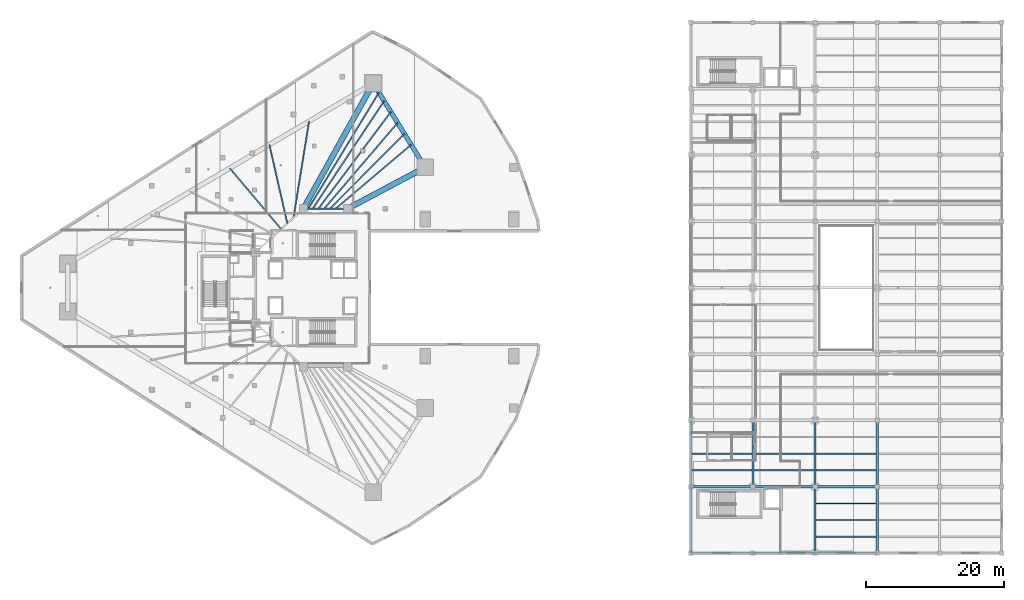
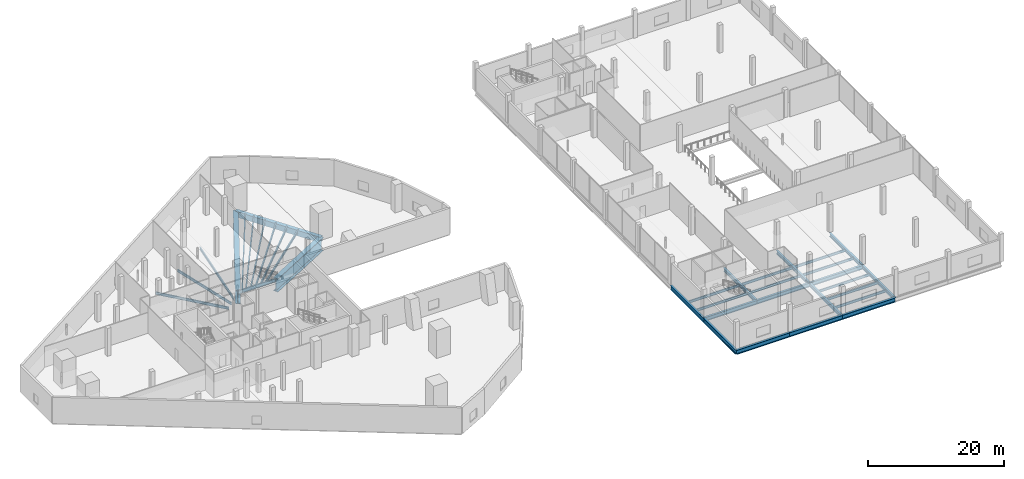
# One storey, part 2 of 46: 35 beams.
"""IFC4 building model written with IfcOpenShell, lengths in metres."""

from ifc_helpers import new_model, si_unit, direction, frame, origin, origin_2d, place, context, subcontext, project, spatial, rectangle, i_section, extrude, material, material_profile, profile_set, type_object, element, save


model = new_model("IFC4")

# Units and contexts
model_context = context("Model", 3, precision=1e-05, world=origin(), true_north=direction((0.0, 1.0)))
body_context = subcontext(model_context, "Body", "Model", "MODEL_VIEW")
ifc_project = project(units=[si_unit("LENGTHUNIT", "METRE"), si_unit("AREAUNIT", "SQUARE_METRE"), si_unit("VOLUMEUNIT", "CUBIC_METRE"), si_unit("PLANEANGLEUNIT", "RADIAN"), si_unit("MASSUNIT", "GRAM", prefix="KILO")], contexts=[model_context])

# Site, building, storey
site_placement = place(None, origin())
site = spatial("IfcSite", under=ifc_project, at=site_placement, CompositionType="ELEMENT")
building_placement = place(site_placement, origin())
building = spatial("IfcBuilding", under=site, at=building_placement, Name="Qorvath Tower", CompositionType="ELEMENT")
storey_placement = place(building_placement, frame((0.0, 0.0, 17.0)))
storey = spatial("IfcBuildingStorey", under=building, at=storey_placement, Name="L03", CompositionType="ELEMENT", Elevation=17.0)

# Beams
ifc_material_1 = material(Name="Steel ASTM A992 Grade 50", Category="steel")
ifc_material_profile_1 = material_profile(ifc_material_1, i_section(OverallWidth=0.381103515625, OverallDepth=0.77294921875, WebThickness=0.0166015625, FlangeThickness=0.027099609375, FilletRadius=0.01904296875, at=origin_2d()), Name="W30x173")
ifc_profile_set_1 = profile_set([ifc_material_profile_1], Name="Steel ASTM A992 Grade 50")
beam_type_1 = type_object("IfcBeamType", Name="BM-FG3", PredefinedType="BEAM", material=ifc_profile_set_1)
for number, where, z_axis, x_axis, name in (
    (1, (32.39990234375, -38.39990234375, -0.646484375), (1.0, 0.0, 0.0), (0.0, 1.0, 0.0), "Library E-W Girder L03-1-1"),
    (2, (41.39990234375, -38.39990234375, -0.646484375), (1.0, 0.0, 0.0), (0.0, 1.0, 0.0), "Library E-W Girder L03-1-2"),
    (3, (50.39990234375, -38.39990234375, -0.646484375), (1.0, 0.0, 0.0), (0.0, 1.0, 0.0), "Library E-W Girder L03-1-3"),
):
    element("IfcBeam", number, at=place(storey_placement, frame(where, z_axis=z_axis, x_axis=x_axis)), inside=storey, type_object=beam_type_1, Name=name, PredefinedType="BEAM", context=body_context, shape_type="SweptSolid", body=[
        extrude(i_section(OverallWidth=0.381103515625, OverallDepth=0.77294921875, WebThickness=0.0166015625, FlangeThickness=0.027099609375, FilletRadius=0.01904296875, at=origin_2d()), origin(), (0.0, 0.0, 1.0), 9.0),
    ])
beam_1_placement = place(storey_placement, frame((32.39990234375, -38.39990234375, -0.646484375), z_axis=(0.0, 1.0, 0.0), x_axis=(-1.0, 0.0, 0.0)))
element("IfcBeam", 4, at=beam_1_placement, inside=storey, type_object=beam_type_1, Name="Library N-S Girder L03-1-1", PredefinedType="BEAM", context=body_context, shape_type="SweptSolid", body=[
    extrude(i_section(OverallWidth=0.381103515625, OverallDepth=0.77294921875, WebThickness=0.0166015625, FlangeThickness=0.027099609375, FilletRadius=0.01904296875, at=origin_2d()), origin(), (0.0, 0.0, 1.0), 9.599853515625),
])
beam_2_placement = place(storey_placement, frame((32.39990234375, -28.800048828125, -0.646484375), z_axis=(0.0, 1.0, 0.0), x_axis=(-1.0, 0.0, 0.0)))
element("IfcBeam", 5, at=beam_2_placement, inside=storey, type_object=beam_type_1, Name="Library N-S Girder L03-1-2", PredefinedType="BEAM", context=body_context, shape_type="SweptSolid", body=[
    extrude(i_section(OverallWidth=0.381103515625, OverallDepth=0.77294921875, WebThickness=0.0166015625, FlangeThickness=0.027099609375, FilletRadius=0.01904296875, at=origin_2d()), origin(), (0.0, 0.0, 1.0), 9.60009765625),
])
ifc_material_2 = material(Name="Steel ASTM A992 Grade 50", Category="steel")
ifc_material_profile_2 = material_profile(ifc_material_2, i_section(OverallWidth=0.35595703125, OverallDepth=0.696044921875, WebThickness=0.015380859375, FlangeThickness=0.02490234375, FilletRadius=0.01806640625, at=origin_2d()), Name="W27x146")
ifc_profile_set_2 = profile_set([ifc_material_profile_2], Name="Steel ASTM A992 Grade 50")
beam_type_2 = type_object("IfcBeamType", Name="BM-FG4", PredefinedType="BEAM", material=ifc_profile_set_2)
for number, where, z_axis, x_axis, name in (
    (6, (32.39990234375, -28.800048828125, -0.60791015625), (1.0, 0.0, 0.0), (0.0, 1.0, 0.0), "Library E-W Girder L03-2-1"),
    (7, (41.39990234375, -28.800048828125, -0.60791015625), (1.0, 0.0, 0.0), (0.0, 1.0, 0.0), "Library E-W Girder L03-2-2"),
    (8, (50.39990234375, -28.800048828125, -0.60791015625), (1.0, 0.0, 0.0), (0.0, 1.0, 0.0), "Library E-W Girder L03-2-3"),
):
    element("IfcBeam", number, at=place(storey_placement, frame(where, z_axis=z_axis, x_axis=x_axis)), inside=storey, type_object=beam_type_2, Name=name, PredefinedType="BEAM", context=body_context, shape_type="SweptSolid", body=[
        extrude(i_section(OverallWidth=0.35595703125, OverallDepth=0.696044921875, WebThickness=0.015380859375, FlangeThickness=0.02490234375, FilletRadius=0.01806640625, at=origin_2d()), origin(), (0.0, 0.0, 1.0), 9.0),
    ])
ifc_material_3 = material(Name="Steel ASTM A992 Grade 50", Category="steel")
ifc_material_profile_3 = material_profile(ifc_material_3, i_section(OverallWidth=0.324951171875, OverallDepth=0.615966796875, WebThickness=0.013916015625, FlangeThickness=0.021484375, FilletRadius=0.01611328125, at=origin_2d()), Name="W24x117")
ifc_profile_set_3 = profile_set([ifc_material_profile_3], Name="Steel ASTM A992 Grade 50")
beam_type_3 = type_object("IfcBeamType", Name="BM-FG5", PredefinedType="BEAM", material=ifc_profile_set_3)
beam_3_placement = place(storey_placement, frame((41.39990234375, -28.800048828125, -0.568115234375), z_axis=(0.0, 1.0, 0.0), x_axis=(-1.0, 0.0, 0.0)))
element("IfcBeam", 9, at=beam_3_placement, inside=storey, type_object=beam_type_3, Name="Library N-S Girder L03-2-2", PredefinedType="BEAM", context=body_context, shape_type="SweptSolid", body=[
    extrude(i_section(OverallWidth=0.324951171875, OverallDepth=0.615966796875, WebThickness=0.013916015625, FlangeThickness=0.021484375, FilletRadius=0.01611328125, at=origin_2d()), origin(), (0.0, 0.0, 1.0), 9.60009765625),
])
beam_4_placement = place(storey_placement, frame((50.39990234375, -38.39990234375, -0.568115234375), z_axis=(0.0, 1.0, 0.0), x_axis=(-1.0, 0.0, 0.0)))
element("IfcBeam", 10, at=beam_4_placement, inside=storey, type_object=beam_type_3, Name="Library N-S Girder L03-3-1", PredefinedType="BEAM", context=body_context, shape_type="SweptSolid", body=[
    extrude(i_section(OverallWidth=0.324951171875, OverallDepth=0.615966796875, WebThickness=0.013916015625, FlangeThickness=0.021484375, FilletRadius=0.01611328125, at=origin_2d()), origin(), (0.0, 0.0, 1.0), 9.599853515625),
])
beam_5_placement = place(storey_placement, frame((50.39990234375, -28.800048828125, -0.568115234375), z_axis=(0.0, 1.0, 0.0), x_axis=(-1.0, 0.0, 0.0)))
element("IfcBeam", 11, at=beam_5_placement, inside=storey, type_object=beam_type_3, Name="Library N-S Girder L03-3-2", PredefinedType="BEAM", context=body_context, shape_type="SweptSolid", body=[
    extrude(i_section(OverallWidth=0.324951171875, OverallDepth=0.615966796875, WebThickness=0.013916015625, FlangeThickness=0.021484375, FilletRadius=0.01611328125, at=origin_2d()), origin(), (0.0, 0.0, 1.0), 9.60009765625),
])
beam_6_placement = place(storey_placement, frame((59.39990234375, -38.39990234375, -0.568115234375), z_axis=(0.0, 1.0, 0.0), x_axis=(-1.0, 0.0, 0.0)))
element("IfcBeam", 12, at=beam_6_placement, inside=storey, type_object=beam_type_3, Name="Library N-S Girder L03-4-1", PredefinedType="BEAM", context=body_context, shape_type="SweptSolid", body=[
    extrude(i_section(OverallWidth=0.324951171875, OverallDepth=0.615966796875, WebThickness=0.013916015625, FlangeThickness=0.021484375, FilletRadius=0.01611328125, at=origin_2d()), origin(), (0.0, 0.0, 1.0), 9.599853515625),
])
beam_7_placement = place(storey_placement, frame((59.39990234375, -28.800048828125, -0.568115234375), z_axis=(0.0, 1.0, 0.0), x_axis=(-1.0, 0.0, 0.0)))
element("IfcBeam", 13, at=beam_7_placement, inside=storey, type_object=beam_type_3, Name="Library N-S Girder L03-4-2", PredefinedType="BEAM", context=body_context, shape_type="SweptSolid", body=[
    extrude(i_section(OverallWidth=0.324951171875, OverallDepth=0.615966796875, WebThickness=0.013916015625, FlangeThickness=0.021484375, FilletRadius=0.01611328125, at=origin_2d()), origin(), (0.0, 0.0, 1.0), 9.60009765625),
])
ifc_material_4 = material(Name="Steel ASTM A992 Grade 50", Category="steel")
ifc_material_profile_4 = material_profile(ifc_material_4, i_section(OverallWidth=0.22998046875, OverallDepth=0.616943359375, WebThickness=0.01318359375, FlangeThickness=0.022216796875, FilletRadius=0.014892578125, at=origin_2d()), Name="W24x94")
ifc_profile_set_4 = profile_set([ifc_material_profile_4], Name="Steel ASTM A992 Grade 50")
beam_type_4 = type_object("IfcBeamType", Name="BM-FG6", PredefinedType="BEAM", material=ifc_profile_set_4)
beam_8_placement = place(storey_placement, frame((-23.60009765625, 11.449951171875, -0.568603515625), z_axis=(1.0, 0.0, 0.0), x_axis=(0.0, 1.0, 0.0)))
element("IfcBeam", 14, at=beam_8_placement, inside=storey, type_object=beam_type_4, Name="Core Ring Girder CC1-CC2 L03", PredefinedType="BEAM", context=body_context, shape_type="SweptSolid", body=[
    extrude(i_section(OverallWidth=0.22998046875, OverallDepth=0.616943359375, WebThickness=0.01318359375, FlangeThickness=0.022216796875, FilletRadius=0.014892578125, at=origin_2d()), origin(), (0.0, 0.0, 1.0), 6.400146484375),
])
ifc_material_5 = material(Name="Steel ASTM A992 Grade 50", Category="steel")
ifc_material_profile_5 = material_profile(ifc_material_5, i_section(OverallWidth=0.18994140625, OverallDepth=0.45703125, WebThickness=0.009033203125, FlangeThickness=0.014404296875, FilletRadius=0.011962890625, at=origin_2d()), Name="W18x50")
ifc_profile_set_5 = profile_set([ifc_material_profile_5], Name="Steel ASTM A992 Grade 50")
beam_type_5 = type_object("IfcBeamType", Name="BM-FJ2", PredefinedType="JOIST", material=ifc_profile_set_5)
beam_9_placement = place(storey_placement, frame((-18.927978515625, 11.449951171875, -0.488525390625), z_axis=(0.762888170757, 0.646530462483, 0.0), x_axis=(-0.646530462483, 0.762888170757, 0.0)))
element("IfcBeam", 15, at=beam_9_placement, inside=storey, type_object=beam_type_5, Name="Composite Floor Joist NE2 L03", PredefinedType="JOIST", context=body_context, shape_type="SweptSolid", body=[
    extrude(i_section(OverallWidth=0.18994140625, OverallDepth=0.45703125, WebThickness=0.009033203125, FlangeThickness=0.014404296875, FilletRadius=0.011962890625, at=origin_2d()), origin(), (0.0, 0.0, 1.0), 14.284423828125),
])
beam_10_placement = place(storey_placement, frame((-19.760009765625, 11.449951171875, -0.488525390625), z_axis=(0.704966562097, 0.709240541935, 0.0), x_axis=(-0.709240541935, 0.704966562097, 0.0)))
element("IfcBeam", 16, at=beam_10_placement, inside=storey, type_object=beam_type_5, Name="Composite Floor Joist NE3 L03", PredefinedType="JOIST", context=body_context, shape_type="SweptSolid", body=[
    extrude(i_section(OverallWidth=0.18994140625, OverallDepth=0.45703125, WebThickness=0.009033203125, FlangeThickness=0.014404296875, FilletRadius=0.011962890625, at=origin_2d()), origin(), (0.0, 0.0, 1.0), 15.251708984375),
])
beam_11_placement = place(storey_placement, frame((-20.592041015625, 11.449951171875, -0.488525390625), z_axis=(0.650034471724, 0.759904721376, 0.0), x_axis=(-0.759904721376, 0.650034471724, 0.0)))
element("IfcBeam", 17, at=beam_11_placement, inside=storey, type_object=beam_type_5, Name="Composite Floor Joist NE4 L03", PredefinedType="JOIST", context=body_context, shape_type="SweptSolid", body=[
    extrude(i_section(OverallWidth=0.18994140625, OverallDepth=0.45703125, WebThickness=0.009033203125, FlangeThickness=0.014404296875, FilletRadius=0.011962890625, at=origin_2d()), origin(), (0.0, 0.0, 1.0), 16.316650390625),
])
beam_12_placement = place(storey_placement, frame((-21.424072265625, 11.449951171875, -0.488525390625), z_axis=(0.599091356813, 0.800680676794, 0.0), x_axis=(-0.800680676794, 0.599091356813, 0.0)))
element("IfcBeam", 18, at=beam_12_placement, inside=storey, type_object=beam_type_5, Name="Composite Floor Joist NE5 L03", PredefinedType="JOIST", context=body_context, shape_type="SweptSolid", body=[
    extrude(i_section(OverallWidth=0.18994140625, OverallDepth=0.45703125, WebThickness=0.009033203125, FlangeThickness=0.014404296875, FilletRadius=0.011962890625, at=origin_2d()), origin(), (0.0, 0.0, 1.0), 17.46142578125),
])
beam_13_placement = place(storey_placement, frame((-22.256103515625, 11.449951171875, -0.488525390625), z_axis=(0.552474288131, 0.833529940047, 0.0), x_axis=(-0.833529940047, 0.552474288131, 0.0)))
element("IfcBeam", 19, at=beam_13_placement, inside=storey, type_object=beam_type_5, Name="Composite Floor Joist NE6 L03", PredefinedType="JOIST", context=body_context, shape_type="SweptSolid", body=[
    extrude(i_section(OverallWidth=0.18994140625, OverallDepth=0.45703125, WebThickness=0.009033203125, FlangeThickness=0.014404296875, FilletRadius=0.011962890625, at=origin_2d()), origin(), (0.0, 0.0, 1.0), 18.6708984375),
])
beam_14_placement = place(storey_placement, frame((-22.89599609375, 11.449951171875, -0.488525390625), z_axis=(0.519556443318, 0.854436131145, 0.0), x_axis=(-0.854436131145, 0.519556443318, 0.0)))
element("IfcBeam", 20, at=beam_14_placement, inside=storey, type_object=beam_type_5, Name="Composite Floor Joist NE7 L03", PredefinedType="JOIST", context=body_context, shape_type="SweptSolid", body=[
    extrude(i_section(OverallWidth=0.18994140625, OverallDepth=0.45703125, WebThickness=0.009033203125, FlangeThickness=0.014404296875, FilletRadius=0.011962890625, at=origin_2d()), origin(), (0.0, 0.0, 1.0), 19.63818359375),
])
beam_15_placement = place(storey_placement, frame((-26.843017578125, 8.489013671875, -0.488525390625), z_axis=(-0.644958726494, 0.764217404355, 0.0), x_axis=(-0.764217404355, -0.644958726494, 0.0)))
element("IfcBeam", 21, at=beam_15_placement, inside=storey, type_object=beam_type_5, Name="Composite Floor Joist NW4 L03", PredefinedType="JOIST", context=body_context, shape_type="SweptSolid", body=[
    extrude(i_section(OverallWidth=0.18994140625, OverallDepth=0.45703125, WebThickness=0.009033203125, FlangeThickness=0.014404296875, FilletRadius=0.011962890625, at=origin_2d()), origin(), (0.0, 0.0, 1.0), 11.5234375),
])
beam_16_placement = place(storey_placement, frame((-25.946044921875, 9.30810546875, -0.488525390625), z_axis=(-0.221751282053, 0.975103260639, 0.0), x_axis=(-0.975103260639, -0.221751282053, 0.0)))
element("IfcBeam", 22, at=beam_16_placement, inside=storey, type_object=beam_type_5, Name="Composite Floor Joist NW5 L03", PredefinedType="JOIST", context=body_context, shape_type="SweptSolid", body=[
    extrude(i_section(OverallWidth=0.18994140625, OverallDepth=0.45703125, WebThickness=0.009033203125, FlangeThickness=0.014404296875, FilletRadius=0.011962890625, at=origin_2d()), origin(), (0.0, 0.0, 1.0), 11.67236328125),
])
beam_17_placement = place(storey_placement, frame((-25.049072265625, 10.126953125, -0.488525390625), z_axis=(0.159519083064, 0.987194845073, 0.0), x_axis=(-0.987194845073, 0.159519083064, 0.0)))
element("IfcBeam", 23, at=beam_17_placement, inside=storey, type_object=beam_type_5, Name="Composite Floor Joist NW6 L03", PredefinedType="JOIST", context=body_context, shape_type="SweptSolid", body=[
    extrude(i_section(OverallWidth=0.18994140625, OverallDepth=0.45703125, WebThickness=0.009033203125, FlangeThickness=0.014404296875, FilletRadius=0.011962890625, at=origin_2d()), origin(), (0.0, 0.0, 1.0), 14.138671875),
])
for number, where, z_axis, x_axis, name in (
    (24, (50.560546875, -36.0, -0.488525390625), (1.0, 0.0, 0.0), (0.0, 1.0, 0.0), "Library Stack Joist L03-1.1-3"),
    (25, (50.560546875, -33.60009765625, -0.488525390625), (1.0, 0.0, 0.0), (0.0, 1.0, 0.0), "Library Stack Joist L03-1.2-3"),
    (26, (50.560546875, -31.199951171875, -0.488525390625), (1.0, 0.0, 0.0), (0.0, 1.0, 0.0), "Library Stack Joist L03-1.3-3"),
):
    element("IfcBeam", number, at=place(storey_placement, frame(where, z_axis=z_axis, x_axis=x_axis)), inside=storey, type_object=beam_type_5, Name=name, PredefinedType="JOIST", context=body_context, shape_type="SweptSolid", body=[
        extrude(i_section(OverallWidth=0.18994140625, OverallDepth=0.45703125, WebThickness=0.009033203125, FlangeThickness=0.014404296875, FilletRadius=0.011962890625, at=origin_2d()), origin(), (0.0, 0.0, 1.0), 8.678955078125),
    ])
beam_18_placement = place(storey_placement, frame((32.58837890625, -26.39990234375, -0.488525390625), z_axis=(1.0, 0.0, 0.0), x_axis=(0.0, 1.0, 0.0)))
element("IfcBeam", 27, at=beam_18_placement, inside=storey, type_object=beam_type_5, Name="Library Stack Joist L03-2.1-1", PredefinedType="JOIST", context=body_context, shape_type="SweptSolid", body=[
    extrude(i_section(OverallWidth=0.18994140625, OverallDepth=0.45703125, WebThickness=0.009033203125, FlangeThickness=0.014404296875, FilletRadius=0.011962890625, at=origin_2d()), origin(), (0.0, 0.0, 1.0), 8.651123046875),
])
for number, where, z_axis, x_axis, name in (
    (28, (41.560546875, -26.39990234375, -0.488525390625), (1.0, 0.0, 0.0), (0.0, 1.0, 0.0), "Library Stack Joist L03-2.1-2"),
    (29, (50.560546875, -26.39990234375, -0.488525390625), (1.0, 0.0, 0.0), (0.0, 1.0, 0.0), "Library Stack Joist L03-2.1-3"),
):
    element("IfcBeam", number, at=place(storey_placement, frame(where, z_axis=z_axis, x_axis=x_axis)), inside=storey, type_object=beam_type_5, Name=name, PredefinedType="JOIST", context=body_context, shape_type="SweptSolid", body=[
        extrude(i_section(OverallWidth=0.18994140625, OverallDepth=0.45703125, WebThickness=0.009033203125, FlangeThickness=0.014404296875, FilletRadius=0.011962890625, at=origin_2d()), origin(), (0.0, 0.0, 1.0), 8.678955078125),
    ])
beam_19_placement = place(storey_placement, frame((32.58837890625, -24.0, -0.488525390625), z_axis=(1.0, 0.0, 0.0), x_axis=(0.0, 1.0, 0.0)))
element("IfcBeam", 30, at=beam_19_placement, inside=storey, type_object=beam_type_5, Name="Library Stack Joist L03-2.2-1", PredefinedType="JOIST", context=body_context, shape_type="SweptSolid", body=[
    extrude(i_section(OverallWidth=0.18994140625, OverallDepth=0.45703125, WebThickness=0.009033203125, FlangeThickness=0.014404296875, FilletRadius=0.011962890625, at=origin_2d()), origin(), (0.0, 0.0, 1.0), 8.651123046875),
])
for number, where, z_axis, x_axis, name in (
    (31, (41.560546875, -24.0, -0.488525390625), (1.0, 0.0, 0.0), (0.0, 1.0, 0.0), "Library Stack Joist L03-2.2-2"),
    (32, (50.560546875, -24.0, -0.488525390625), (1.0, 0.0, 0.0), (0.0, 1.0, 0.0), "Library Stack Joist L03-2.2-3"),
):
    element("IfcBeam", number, at=place(storey_placement, frame(where, z_axis=z_axis, x_axis=x_axis)), inside=storey, type_object=beam_type_5, Name=name, PredefinedType="JOIST", context=body_context, shape_type="SweptSolid", body=[
        extrude(i_section(OverallWidth=0.18994140625, OverallDepth=0.45703125, WebThickness=0.009033203125, FlangeThickness=0.014404296875, FilletRadius=0.011962890625, at=origin_2d()), origin(), (0.0, 0.0, 1.0), 8.678955078125),
    ])
ifc_material_6 = material(Name="Concrete C50/60", Category="concrete")
ifc_material_profile_6 = material_profile(ifc_material_6, rectangle(XDim=0.64990234375, YDim=1.0, at=origin_2d()), Name="RCB 1000x650")
ifc_profile_set_6 = profile_set([ifc_material_profile_6], Name="Concrete C50/60")
beam_type_6 = type_object("IfcBeamType", Name="BM-RCB1", PredefinedType="SPANDREL", material=ifc_profile_set_6)
beam_20_placement = place(storey_placement, frame((-6.0, 17.39990234375, -0.760009765625), z_axis=(-0.525713426157, 0.850661738624, 0.0), x_axis=(-0.850661738624, -0.525713426157, 0.0)))
element("IfcBeam", 33, at=beam_20_placement, inside=storey, type_object=beam_type_6, Name="Perimeter Loggia Frame Beam MC5-MC6 L03", PredefinedType="SPANDREL", context=body_context, shape_type="SweptSolid", body=[
    extrude(rectangle(XDim=0.64990234375, YDim=1.0, at=origin_2d()), origin(), (0.0, 0.0, 1.0), 14.304443359375),
])
ifc_material_7 = material(Name="Steel ASTM A572 Grade 50", Category="steel")
ifc_material_profile_7 = material_profile(ifc_material_7, i_section(OverallWidth=0.800048828125, OverallDepth=2.39990234375, WebThickness=0.044921875, FlangeThickness=0.090087890625, FilletRadius=0.02490234375, at=origin_2d()), Name="WTG 2400x800")
ifc_profile_set_7 = profile_set([ifc_material_profile_7], Name="Steel ASTM A572 Grade 50")
beam_type_7 = type_object("IfcBeamType", Name="BM-TG2", PredefinedType="BEAM", material=ifc_profile_set_7)
beam_21_placement = place(storey_placement, frame((-23.60009765625, 11.449951171875, -1.4599609375), z_axis=(0.486174725137, 0.873861623278, 0.0), x_axis=(-0.873861623278, 0.486174725137, 0.0)))
element("IfcBeam", 34, at=beam_21_placement, inside=storey, type_object=beam_type_7, Name="Radial Floor Girder CC1-MC6 L03", PredefinedType="BEAM", context=body_context, shape_type="SweptSolid", body=[
    extrude(i_section(OverallWidth=0.800048828125, OverallDepth=2.39990234375, WebThickness=0.044921875, FlangeThickness=0.090087890625, FilletRadius=0.02490234375, at=origin_2d()), origin(), (0.0, 0.0, 1.0), 20.7333984375),
])
beam_22_placement = place(storey_placement, frame((-17.199951171875, 11.449951171875, -1.4599609375), z_axis=(0.883116467191, 0.469153818461, 0.0), x_axis=(-0.469153818461, 0.883116467191, 0.0)))
element("IfcBeam", 35, at=beam_22_placement, inside=storey, type_object=beam_type_7, Name="Radial Floor Girder CC2-MC5 L03", PredefinedType="BEAM", context=body_context, shape_type="SweptSolid", body=[
    extrude(i_section(OverallWidth=0.800048828125, OverallDepth=2.39990234375, WebThickness=0.044921875, FlangeThickness=0.090087890625, FilletRadius=0.02490234375, at=origin_2d()), origin(), (0.0, 0.0, 1.0), 12.682373046875),
])

save(model, "model.ifc")
